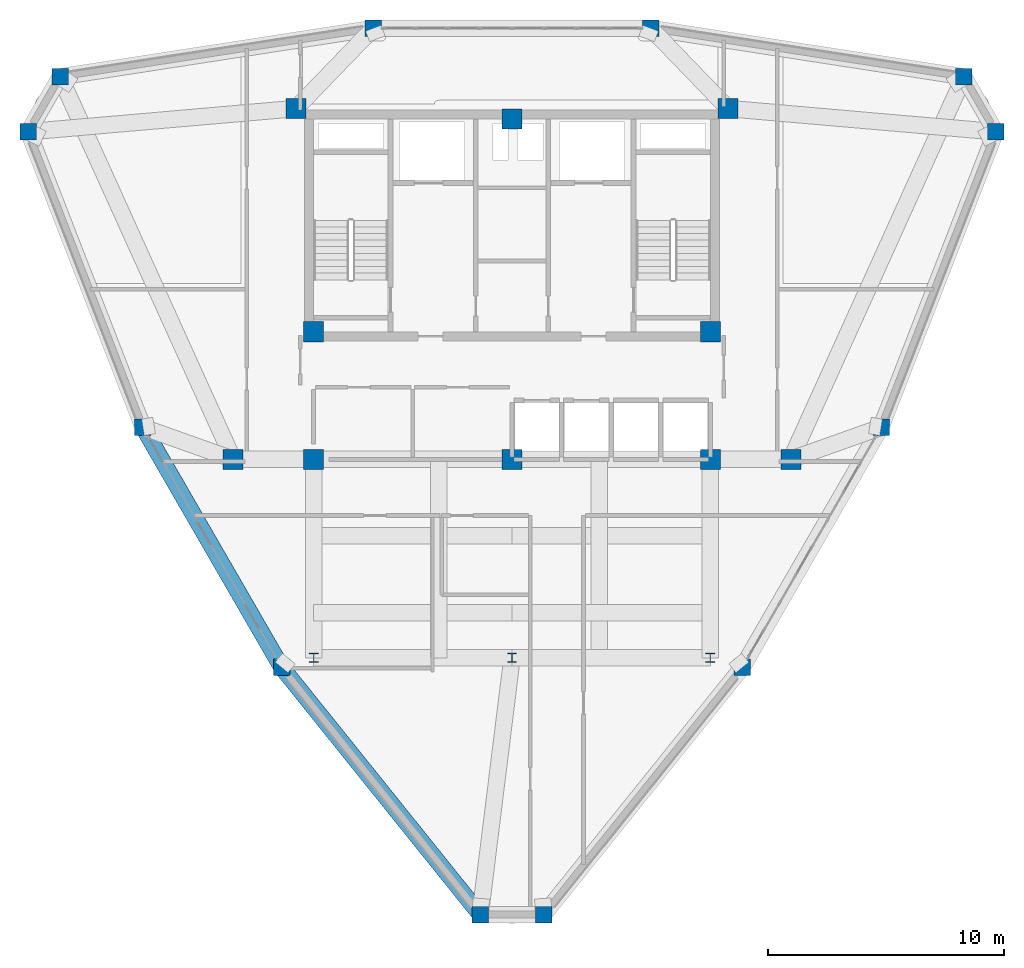
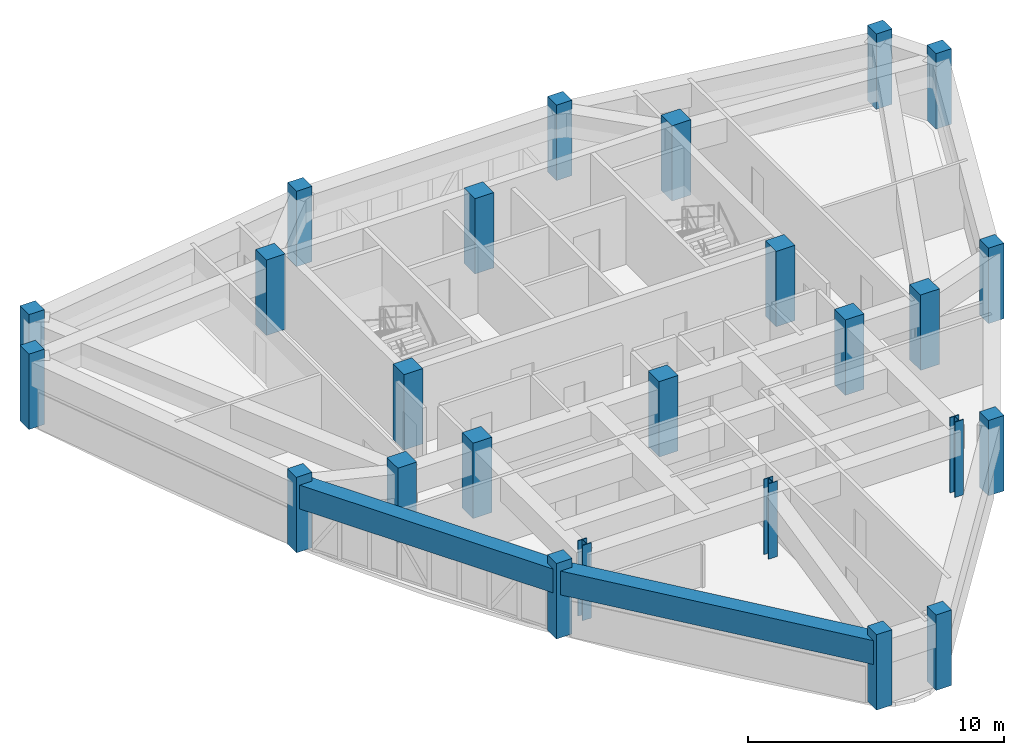
# One storey, part 1 of 14: 25 columns, 2 beams.
"""IFC4 building model written with IfcOpenShell, lengths in metres."""

import ifcopenshell
import ifcopenshell.guid

model = None  # the IFC model being written
_history = None  # IfcOwnerHistory: only IFC2X3 demands one
_inside = {}  # id of a spatial element -> (the spatial element, [elements in it])
_under = {}  # id of a project, library or spatial element -> (it, [spatial elements below it])
_declared = {}  # id of a project -> (the project, [libraries it declares])
_typed = {}  # id of a type object -> (the type object, [elements of that type])
_made_of = {}  # id of a material, layer set ... -> (it, [elements and type objects made of it])


def new_model(schema):
    """Start an empty IFC model of exactly this schema.

    Asked for "IFC4X3", IfcOpenShell would pick the latest addendum, in which some entities
    have other attributes; the version numbers below select the first issue.
    IFC2X3 requires an IfcOwnerHistory on every rooted entity: one is made here for all.
    """
    global model, _history
    if schema == "IFC4X3":
        model = ifcopenshell.file(schema_version=(4, 3, 0, 0))
    else:
        model = ifcopenshell.file(schema=schema)
    _inside.clear()
    _under.clear()
    _declared.clear()
    _typed.clear()
    _made_of.clear()
    _history = None
    if model.schema == "IFC2X3":
        org = make("IfcOrganization", Name="unknown")
        user = make(
            "IfcPersonAndOrganization",
            ThePerson=make("IfcPerson", FamilyName="unknown"),
            TheOrganization=org,
        )
        app = make(
            "IfcApplication",
            ApplicationDeveloper=org,
            Version="unknown",
            ApplicationFullName="unknown",
            ApplicationIdentifier="unknown",
        )
        _history = make(
            "IfcOwnerHistory",
            OwningUser=user,
            OwningApplication=app,
            ChangeAction="ADDED",
            CreationDate=0,
        )
    return model


def make(cls, **values):
    """One entity of the class cls with the attributes given. An attribute that is None is left unset."""
    return model.create_entity(
        cls, **{name: value for name, value in values.items() if value is not None}
    )


def rooted(cls, **values):
    """An entity with a GlobalId (a new one), such as an element, a storey or a relation."""
    return make(cls, GlobalId=ifcopenshell.guid.new(), OwnerHistory=_history, **values)


def si_unit(unit_type, name, prefix=None):
    """IfcSIUnit, for example si_unit("LENGTHUNIT", "METRE", prefix="MILLI")."""
    return make("IfcSIUnit", UnitType=unit_type, Prefix=prefix, Name=name)


def derived_unit(unit_type, elements):
    """IfcDerivedUnit: a product of units, each with its exponent."""
    return make(
        "IfcDerivedUnit",
        Elements=[
            make("IfcDerivedUnitElement", Unit=unit, Exponent=power)
            for unit, power in elements
        ],
        UnitType=unit_type,
    )


def assignment(units):
    """IfcUnitAssignment: the units of a project."""
    return None if units is None else make("IfcUnitAssignment", Units=units)


def point(xyz):
    """IfcCartesianPoint."""
    return None if xyz is None else make("IfcCartesianPoint", Coordinates=xyz)


def direction(xyz):
    """IfcDirection."""
    return None if xyz is None else make("IfcDirection", DirectionRatios=xyz)


def frame(location, z_axis=None, x_axis=None):
    """IfcAxis2Placement3D, a coordinate frame: its origin and axes. An axis left out is left unset."""
    return make(
        "IfcAxis2Placement3D",
        Location=point(location),
        Axis=direction(z_axis),
        RefDirection=direction(x_axis),
    )


def frame_2d(location, x_axis=None):
    """IfcAxis2Placement2D, a coordinate frame in the plane: its origin and x axis."""
    return make(
        "IfcAxis2Placement2D", Location=point(location), RefDirection=direction(x_axis)
    )


def origin():
    """The frame at (0, 0, 0) with its axes left unset."""
    return frame((0.0, 0.0, 0.0))


def origin_2d():
    """The frame at (0, 0) in the plane with its x axis left unset."""
    return frame_2d((0.0, 0.0))


def place(relative_to, where):
    """IfcLocalPlacement: puts the frame where relative to a parent placement (None: the world)."""
    return make(
        "IfcLocalPlacement", PlacementRelTo=relative_to, RelativePlacement=where
    )


def context(
    kind, dimensions, precision=None, world=None, true_north=None, identifier=None
):
    """IfcGeometricRepresentationContext, for example the 3D "Model" context."""
    return make(
        "IfcGeometricRepresentationContext",
        ContextIdentifier=identifier,
        ContextType=kind,
        CoordinateSpaceDimension=dimensions,
        Precision=precision,
        WorldCoordinateSystem=world,
        TrueNorth=true_north,
    )


def subcontext(parent, identifier, kind, view, scale=None):
    """IfcGeometricRepresentationSubContext, for example "Body" below "Model"."""
    return make(
        "IfcGeometricRepresentationSubContext",
        ContextIdentifier=identifier,
        ContextType=kind,
        ParentContext=parent,
        TargetScale=scale,
        TargetView=view,
    )


def project(units=None, contexts=None):
    """IfcProject with its units and contexts."""
    return rooted(
        "IfcProject",
        Name="project",
        RepresentationContexts=contexts,
        UnitsInContext=assignment(units),
    )


def spatial(cls, under=None, at=None, **own):
    """A site, building, storey or space (cls), placed at a placement, below another one or the project."""
    s = rooted(cls, ObjectPlacement=at, **own)
    if under is not None:
        _under.setdefault(under.id(), (under, []))[1].append(s)
    return s


def profile(cls, at=None, kind="AREA", **sizes):
    """A parametric profile (cls). Its sizes go by their IFC names, for example OverallWidth=200.0."""
    return make(cls, ProfileType=kind, Position=at, **sizes)


def rectangle(**sizes):
    """IfcRectangleProfileDef."""
    return profile("IfcRectangleProfileDef", **sizes)


def i_section(**sizes):
    """IfcIShapeProfileDef."""
    return profile("IfcIShapeProfileDef", **sizes)


def extrude(swept, where, along, depth):
    """IfcExtrudedAreaSolid: the profile swept, set in the frame where, extruded along a direction by depth."""
    return make(
        "IfcExtrudedAreaSolid",
        SweptArea=swept,
        Position=where,
        ExtrudedDirection=direction(along),
        Depth=depth,
    )


def shape(context_of_items, identifier, shape_type, items):
    """IfcShapeRepresentation: the items that make up one representation, for example the "Body"."""
    return make(
        "IfcShapeRepresentation",
        ContextOfItems=context_of_items,
        RepresentationIdentifier=identifier,
        RepresentationType=shape_type,
        Items=items,
    )


def source(mapping_origin, context_of_items, identifier, shape_type, items):
    """IfcRepresentationMap: a shape defined once, which mapped items show again and again."""
    return make(
        "IfcRepresentationMap",
        MappingOrigin=mapping_origin,
        MappedRepresentation=shape(context_of_items, identifier, shape_type, items),
    )


def transform(
    local_origin,
    x_axis=None,
    y_axis=None,
    z_axis=None,
    scale=None,
    scale2=None,
    scale3=None,
    uniform=True,
):
    """IfcCartesianTransformationOperator3D, or its non-uniform kind. x_axis, y_axis, z_axis: its Axis1, 2, 3."""
    if uniform:
        return make(
            "IfcCartesianTransformationOperator3D",
            Axis1=direction(x_axis),
            Axis2=direction(y_axis),
            LocalOrigin=point(local_origin),
            Scale=scale,
            Axis3=direction(z_axis),
        )
    return make(
        "IfcCartesianTransformationOperator3DnonUniform",
        Axis1=direction(x_axis),
        Axis2=direction(y_axis),
        LocalOrigin=point(local_origin),
        Scale=scale,
        Axis3=direction(z_axis),
        Scale2=scale2,
        Scale3=scale3,
    )


def mapped(mapping_source, mapping_target):
    """IfcMappedItem: shows the shape of a source again, moved by a transform."""
    return make(
        "IfcMappedItem", MappingSource=mapping_source, MappingTarget=mapping_target
    )


def material(Name=None, Category=None):
    """IfcMaterial."""
    return make("IfcMaterial", Name=Name, Category=Category)


def material_profile(
    of_material, cross_section, Name=None, Category=None, Priority=None
):
    """IfcMaterialProfile: a cross section and its material."""
    return make(
        "IfcMaterialProfile",
        Name=Name,
        Material=of_material,
        Profile=cross_section,
        Priority=Priority,
        Category=Category,
    )


def profile_set(profiles, Name=None, composite=None):
    """IfcMaterialProfileSet."""
    return make(
        "IfcMaterialProfileSet",
        Name=Name,
        MaterialProfiles=profiles,
        CompositeProfile=composite,
    )


def made_of(thing, what):
    """Note that an element or type object is made of a material, layer set ...; save() writes the relation."""
    if what is not None:
        _made_of.setdefault(what.id(), (what, []))[1].append(thing)
    return thing


def type_object(cls, material=None, **own):
    """A type object (cls), such as IfcWallType, which elements share."""
    return made_of(rooted(cls, **own), material)


def element(
    cls,
    number,
    at=None,
    inside=None,
    cuts=None,
    type_object=None,
    material=None,
    context=None,
    identifier="Body",
    shape_type=None,
    held_by="IfcProductDefinitionShape",
    body=None,
    shapes=None,
    **own,
):
    """One element of the class cls, such as IfcWall. Its Tag is "e" and its number.

    at: its placement. inside: the storey or other place that contains it. cuts: it is an
    opening in that element (IfcRelVoidsElement). A single representation is given by context,
    identifier, shape_type and body (its items); several are given by shapes. held_by: the class
    of the entity that holds the representations. save() writes the other relations.
    """
    e = rooted(cls, Tag="e%d" % number, ObjectPlacement=at, **own)
    if body is not None:
        shapes = [shape(context, identifier, shape_type, body)]
    if shapes is not None:
        e.Representation = make(held_by, Representations=shapes)
    if inside is not None:
        _inside.setdefault(inside.id(), (inside, []))[1].append(e)
    if cuts is not None:
        rooted(
            "IfcRelVoidsElement", RelatingBuildingElement=cuts, RelatedOpeningElement=e
        )
    if type_object is not None:
        _typed.setdefault(type_object.id(), (type_object, []))[1].append(e)
    return made_of(e, material)


def aggregate(whole, parts):
    """IfcRelAggregates: a whole, such as a stair, and the parts it consists of."""
    return rooted("IfcRelAggregates", RelatingObject=whole, RelatedObjects=parts)


def save(model, path):
    """Write the relations noted so far, then the file.

    IfcRelAggregates (storeys below a building ...), IfcRelContainedInSpatialStructure (elements
    in a storey), IfcRelDefinesByType, IfcRelAssociatesMaterial and IfcRelDeclares: one each for
    every whole, place, type object, material and project.
    """
    for whole, parts in _under.values():
        aggregate(whole, parts)
    for where, things in _inside.values():
        rooted(
            "IfcRelContainedInSpatialStructure",
            RelatedElements=things,
            RelatingStructure=where,
        )
    for kind, things in _typed.values():
        rooted("IfcRelDefinesByType", RelatedObjects=things, RelatingType=kind)
    for what, things in _made_of.values():
        rooted("IfcRelAssociatesMaterial", RelatedObjects=things, RelatingMaterial=what)
    for by, libraries in _declared.values():
        rooted("IfcRelDeclares", RelatingContext=by, RelatedDefinitions=libraries)
    model.write(path)


model = new_model("IFC4")

# Units and contexts
model_context = context("Model", 3, precision=1e-05, world=origin(), true_north=direction((0.0, 1.0)))
body_context = subcontext(model_context, "Body", "Model", "MODEL_VIEW")
ifc_project = project(units=[si_unit("LENGTHUNIT", "METRE"), si_unit("AREAUNIT", "SQUARE_METRE"), si_unit("VOLUMEUNIT", "CUBIC_METRE"), si_unit("PLANEANGLEUNIT", "RADIAN"), si_unit("MASSUNIT", "GRAM", prefix="KILO"), derived_unit("THERMALTRANSMITTANCEUNIT", [(si_unit("POWERUNIT", "WATT"), 1), (si_unit("LENGTHUNIT", "METRE"), -2), (si_unit("THERMODYNAMICTEMPERATUREUNIT", "KELVIN"), -1)])], contexts=[model_context])

# Site, building, storey
site_placement = place(None, origin())
site = spatial("IfcSite", under=ifc_project, at=site_placement, CompositionType="ELEMENT")
building_placement = place(site_placement, origin())
building = spatial("IfcBuilding", under=site, at=building_placement, Name="Korsvarv Bourse and Concert Hall", CompositionType="ELEMENT")
storey_placement = place(building_placement, frame((0.0, 0.0, 271.800048828125)))
storey = spatial("IfcBuildingStorey", under=building, at=storey_placement, Name="L71", CompositionType="ELEMENT", Elevation=271.800048828125)

# Columns
ifc_material_1 = material(Name="Concrete C50/60", Category="concrete")
ifc_material_profile_1 = material_profile(ifc_material_1, rectangle(XDim=0.85009765625, YDim=0.85009765625, at=origin_2d()), Name="RC 850x850")
ifc_profile_set_1 = profile_set([ifc_material_profile_1], Name="Concrete C50/60")
column_type_1 = type_object("IfcColumnType", Name="COL-RC850", PredefinedType="COLUMN", material=ifc_profile_set_1)
shared_shape_1 = source(origin(), body_context, "Body", "SweptSolid", [
    extrude(rectangle(XDim=0.85009765625, YDim=0.85009765625, at=origin_2d()), origin(), (0.0, 0.0, 1.0), 3.599853515625),
])
for number, where, z_axis, x_axis, name in (
    (1, (26.85009765625, 47.25, 0.0), (0.0, 0.0, 1.0), (1.0, 0.0, 0.0), "L71 column C-04"),
    (2, (45.14990234375, 47.25, 0.0), (0.0, 0.0, 1.0), (1.0, 0.0, 0.0), "L71 column C-04"),
    (3, (27.60009765625, 37.800048828125, 0.0), (0.0, 0.0, 1.0), (1.0, 0.0, 0.0), "L71 column C-04"),
    (4, (44.39990234375, 37.800048828125, 0.0), (0.0, 0.0, 1.0), (1.0, 0.0, 0.0), "L71 column C-04"),
    (5, (27.60009765625, 32.39990234375, 0.0), (0.0, 0.0, 1.0), (1.0, 0.0, 0.0), "L71 column C-04"),
    (6, (44.39990234375, 32.39990234375, 0.0), (0.0, 0.0, 1.0), (1.0, 0.0, 0.0), "L71 column C-04"),
    (7, (36.0, 46.800048828125, 0.0), (0.0, 0.0, 1.0), (1.0, 0.0, 0.0), "L71 column C-04"),
    (8, (36.0, 32.39990234375, 0.0), (0.0, 0.0, 1.0), (1.0, 0.0, 0.0), "L71 column C-04"),
    (9, (24.199951171875, 32.39990234375, 0.0), (0.0, 0.0, 1.0), (1.0, 0.0, 0.0), "L71 column C-04"),
    (10, (47.800048828125, 32.39990234375, 0.0), (0.0, 0.0, 1.0), (1.0, 0.0, 0.0), "L71 column C-04"),
):
    element("IfcColumn", number, at=place(storey_placement, frame(where, z_axis=z_axis, x_axis=x_axis)), inside=storey, type_object=column_type_1, Name=name, PredefinedType="COLUMN", context=body_context, shape_type="MappedRepresentation", body=[
        mapped(shared_shape_1, transform((0.0, 0.0, 0.0), scale=1.0)),
    ])
ifc_material_2 = material(Name="Steel S355", Category="steel")
ifc_material_profile_2 = material_profile(ifc_material_2, i_section(OverallWidth=0.40087890625, OverallDepth=0.39892578125, WebThickness=0.0224609375, FlangeThickness=0.035888671875, FilletRadius=0.014892578125, at=origin_2d()), Name="HD 400x314")
ifc_profile_set_2 = profile_set([ifc_material_profile_2], Name="Steel S355")
column_type_2 = type_object("IfcColumnType", Name="COL-HD314", PredefinedType="COLUMN", material=ifc_profile_set_2)
shared_shape_2 = source(origin(), body_context, "Body", "SweptSolid", [
    extrude(i_section(OverallWidth=0.40087890625, OverallDepth=0.39892578125, WebThickness=0.0224609375, FlangeThickness=0.035888671875, FilletRadius=0.014892578125, at=origin_2d()), origin(), (0.0, 0.0, 1.0), 3.599853515625),
])
for number, where, z_axis, x_axis, name in (
    (11, (27.60009765625, 24.0, 0.0), (0.0, 0.0, 1.0), (1.0, 0.0, 0.0), "L71 column C-11"),
    (12, (44.39990234375, 24.0, 0.0), (0.0, 0.0, 1.0), (1.0, 0.0, 0.0), "L71 column C-11"),
    (13, (36.0, 24.0, 0.0), (0.0, 0.0, 1.0), (1.0, 0.0, 0.0), "L71 column C-11"),
):
    element("IfcColumn", number, at=place(storey_placement, frame(where, z_axis=z_axis, x_axis=x_axis)), inside=storey, type_object=column_type_2, Name=name, PredefinedType="COLUMN", context=body_context, shape_type="MappedRepresentation", body=[
        mapped(shared_shape_2, transform((0.0, 0.0, 0.0), scale=1.0)),
    ])
ifc_material_profile_3 = material_profile(ifc_material_1, rectangle(XDim=0.699951171875, YDim=0.699951171875, at=origin_2d()), Name="RC 700x700")
ifc_profile_set_3 = profile_set([ifc_material_profile_3], Name="Concrete C50/60")
column_type_3 = type_object("IfcColumnType", Name="COL-RC700", PredefinedType="COLUMN", material=ifc_profile_set_3)
shared_shape_3 = source(origin(), body_context, "Body", "SweptSolid", [
    extrude(rectangle(XDim=0.699951171875, YDim=0.699951171875, at=origin_2d()), origin(), (0.0, 0.0, 1.0), 3.599853515625),
])
for number, where, z_axis, x_axis, name in (
    (14, (56.47412109375, 46.266357421875, 0.0), (0.0, 0.0, 1.0), (1.0, 0.0, 0.0), "L71 column C-05"),
    (15, (55.1279296875, 48.597900390625, 0.0), (0.0, 0.0, 1.0), (1.0, 0.0, 0.0), "L71 column C-05"),
    (16, (41.869384765625, 50.646728515625, 0.0), (0.0, 0.0, 1.0), (1.0, 0.0, 0.0), "L71 column C-05"),
    (17, (30.130615234375, 50.646728515625, 0.0), (0.0, 0.0, 1.0), (1.0, 0.0, 0.0), "L71 column C-05"),
    (18, (16.8720703125, 48.597900390625, 0.0), (0.0, 0.0, 1.0), (1.0, 0.0, 0.0), "L71 column C-05"),
    (19, (15.52587890625, 46.266357421875, 0.0), (0.0, 0.0, 1.0), (1.0, 0.0, 0.0), "L71 column C-05"),
    (20, (20.380859375, 33.759765625, 0.0), (0.0, 0.0, 1.0), (1.0, 0.0, 0.0), "L71 column C-05"),
    (21, (26.250244140625, 23.593505859375, 0.0), (0.0, 0.0, 1.0), (1.0, 0.0, 0.0), "L71 column C-05"),
    (22, (34.65380859375, 13.135498046875, 0.0), (0.0, 0.0, 1.0), (1.0, 0.0, 0.0), "L71 column C-05"),
    (23, (37.34619140625, 13.135498046875, 0.0), (0.0, 0.0, 1.0), (1.0, 0.0, 0.0), "L71 column C-05"),
    (24, (45.749755859375, 23.593505859375, 0.0), (0.0, 0.0, 1.0), (1.0, 0.0, 0.0), "L71 column C-05"),
    (25, (51.619140625, 33.759765625, 0.0), (0.0, 0.0, 1.0), (1.0, 0.0, 0.0), "L71 column C-05"),
):
    element("IfcColumn", number, at=place(storey_placement, frame(where, z_axis=z_axis, x_axis=x_axis)), inside=storey, type_object=column_type_3, Name=name, PredefinedType="COLUMN", context=body_context, shape_type="MappedRepresentation", body=[
        mapped(shared_shape_3, transform((0.0, 0.0, 0.0), scale=1.0)),
    ])

# Beams
ifc_material_profile_4 = material_profile(ifc_material_1, rectangle(XDim=0.699951171875, YDim=1.139892578125, at=origin_2d()), Name="RC-BM 700x1140")
ifc_profile_set_4 = profile_set([ifc_material_profile_4], Name="Concrete C50/60")
beam_type = type_object("IfcBeamType", Name="BM-TR-114", PredefinedType="BEAM", material=ifc_profile_set_4)
shared_shape_4 = source(origin(), body_context, "Body", "SweptSolid", [
    extrude(rectangle(XDim=0.699951171875, YDim=1.139892578125, at=origin_2d()), origin(), (0.0, 0.0, 1.0), 13.416015625),
])
beam_1_placement = place(storey_placement, frame((26.250244140625, 23.593505859375, 2.60986328125), z_axis=(0.626382420215, -0.779515916223, 0.0), x_axis=(0.779515916223, 0.626382420215, 0.0)))
element("IfcBeam", 26, at=beam_1_placement, inside=storey, type_object=beam_type, Name="L71 beam B-TR5", PredefinedType="BEAM", context=body_context, shape_type="MappedRepresentation", body=[
    mapped(shared_shape_4, transform((0.0, 0.0, 0.0), scale=1.0)),
])
shared_shape_5 = source(origin(), body_context, "Body", "SweptSolid", [
    extrude(rectangle(XDim=0.699951171875, YDim=1.139892578125, at=origin_2d()), origin(), (0.0, 0.0, 1.0), 11.739013671875),
])
beam_2_placement = place(storey_placement, frame((20.380859375, 33.759765625, 2.60986328125), z_axis=(0.499993096883, -0.866029389264, 0.0), x_axis=(0.866029389264, 0.499993096883, 0.0)))
element("IfcBeam", 27, at=beam_2_placement, inside=storey, type_object=beam_type, Name="L71 beam B-TR5", PredefinedType="BEAM", context=body_context, shape_type="MappedRepresentation", body=[
    mapped(shared_shape_5, transform((0.0, 0.0, 0.0), scale=1.0)),
])

save(model, "model.ifc")
